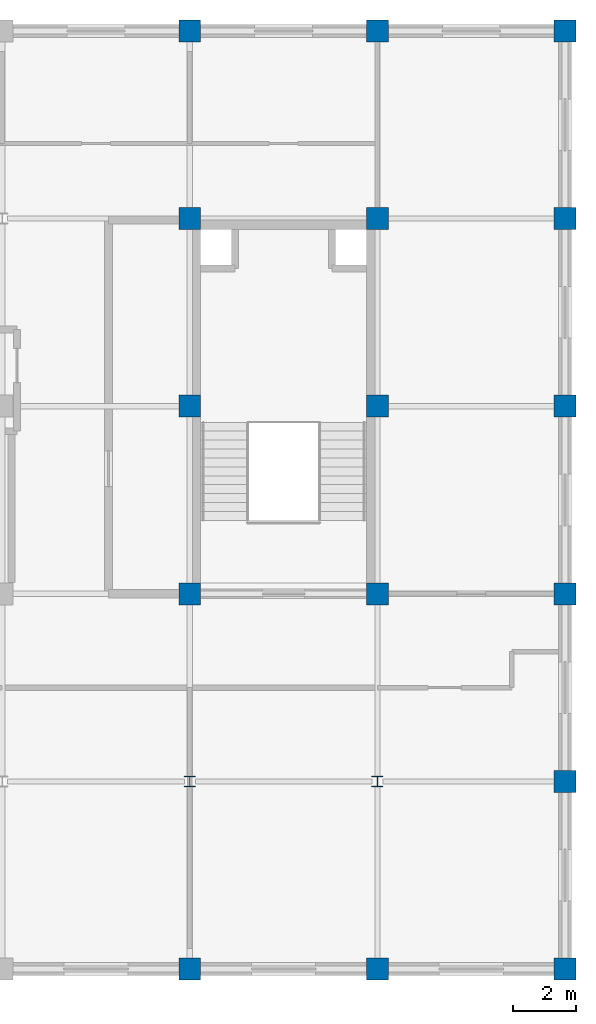
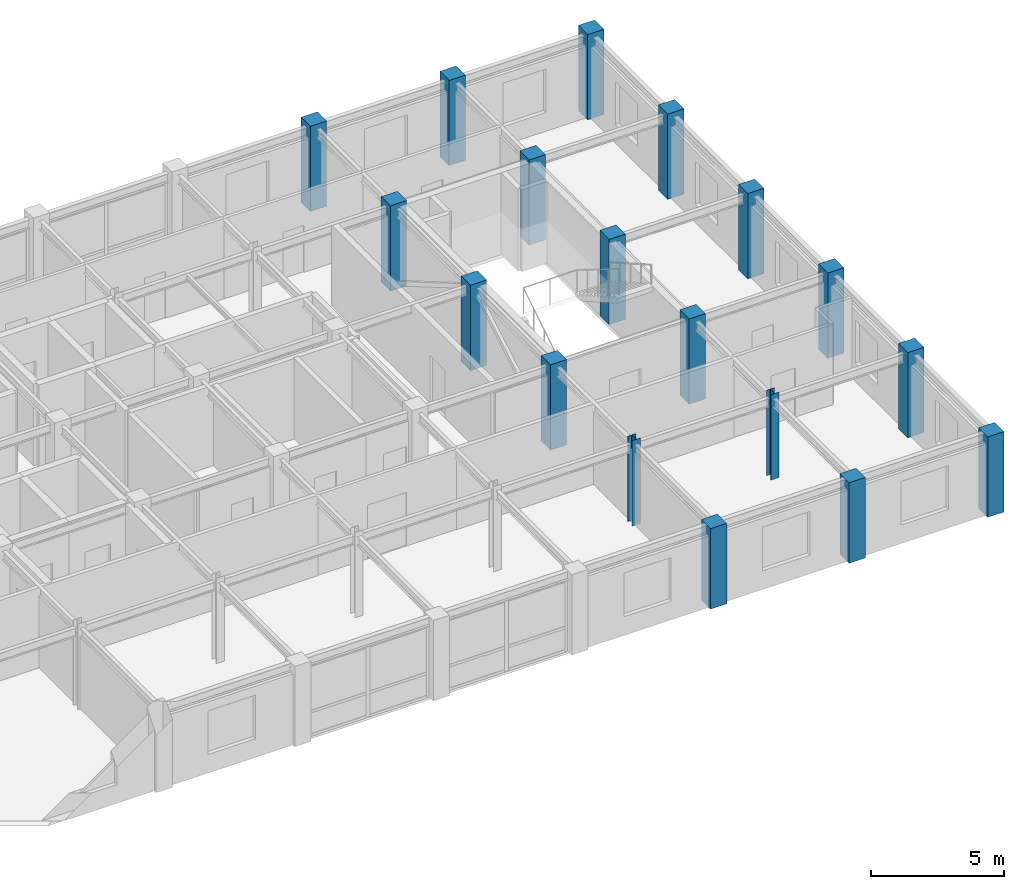
# One storey, part 3 of 13: 18 columns.
"""IFC4 building model written with IfcOpenShell, lengths in metres."""

from ifc_helpers import new_model, si_unit, direction, frame, origin, origin_2d, place, context, subcontext, project, spatial, rectangle, i_section, extrude, material, material_profile, profile_set, type_object, element, save


model = new_model("IFC4")

# Units and contexts
model_context = context("Model", 3, precision=1e-05, world=origin(), true_north=direction((0.0, 1.0)))
body_context = subcontext(model_context, "Body", "Model", "MODEL_VIEW")
ifc_project = project(units=[si_unit("LENGTHUNIT", "METRE"), si_unit("AREAUNIT", "SQUARE_METRE"), si_unit("VOLUMEUNIT", "CUBIC_METRE"), si_unit("PLANEANGLEUNIT", "RADIAN"), si_unit("MASSUNIT", "GRAM", prefix="KILO")], contexts=[model_context])

# Site, building, storey
site_placement = place(None, origin())
site = spatial("IfcSite", under=ifc_project, at=site_placement, CompositionType="ELEMENT")
building_placement = place(site_placement, origin())
building = spatial("IfcBuilding", under=site, at=building_placement, Name="Zlatovratsky Civic Hall", CompositionType="ELEMENT")
storey_placement = place(building_placement, frame((0.0, 0.0, 48.300048828125)))
storey = spatial("IfcBuildingStorey", under=building, at=storey_placement, Name="L12", CompositionType="ELEMENT", Elevation=48.300048828125)

# Columns
ifc_material_1 = material(Name="Concrete C35/45 (B40)", Category="concrete")
ifc_material_profile_1 = material_profile(ifc_material_1, rectangle(XDim=0.699951171875, YDim=0.699951171875, at=origin_2d()), Name="RC 700x700")
ifc_profile_set_1 = profile_set([ifc_material_profile_1], Name="Concrete C35/45 (B40)")
column_type_1 = type_object("IfcColumnType", Name="Col_CorePier_RC700", PredefinedType="COLUMN", material=ifc_profile_set_1)
for number, where, z_axis, x_axis, name in (
    (1, (96.0, 72.0, 0.0), (0.0, 0.0, 1.0), (1.0, 0.0, 0.0), "CL-2417"),
    (2, (102.0, 72.0, 0.0), (0.0, 0.0, 1.0), (1.0, 0.0, 0.0), "CL-2418"),
    (3, (108.0, 72.0, 0.0), (0.0, 0.0, 1.0), (1.0, 0.0, 0.0), "CL-2419"),
):
    element("IfcColumn", number, at=place(storey_placement, frame(where, z_axis=z_axis, x_axis=x_axis)), inside=storey, type_object=column_type_1, Name=name, PredefinedType="COLUMN", context=body_context, shape_type="SweptSolid", body=[
        extrude(rectangle(XDim=0.699951171875, YDim=0.699951171875, at=origin_2d()), origin(), (0.0, 0.0, 1.0), 3.679931640625),
    ])
for number, where, z_axis, x_axis, name in (
    (4, (108.0, 78.0, 0.0), (0.0, 0.0, 1.0), (1.0, 0.0, 0.0), "CL-2428"),
    (5, (96.0, 84.0, 0.0), (0.0, 0.0, 1.0), (1.0, 0.0, 0.0), "CL-2435"),
    (6, (102.0, 84.0, 0.0), (0.0, 0.0, 1.0), (1.0, 0.0, 0.0), "CL-2436"),
    (7, (108.0, 84.0, 0.0), (0.0, 0.0, 1.0), (1.0, 0.0, 0.0), "CL-2437"),
    (8, (96.0, 90.0, 0.0), (0.0, 0.0, 1.0), (1.0, 0.0, 0.0), "CL-2444"),
    (9, (102.0, 90.0, 0.0), (0.0, 0.0, 1.0), (1.0, 0.0, 0.0), "CL-2445"),
    (10, (108.0, 90.0, 0.0), (0.0, 0.0, 1.0), (1.0, 0.0, 0.0), "CL-2446"),
    (11, (96.0, 96.0, 0.0), (0.0, 0.0, 1.0), (1.0, 0.0, 0.0), "CL-2453"),
    (12, (102.0, 96.0, 0.0), (0.0, 0.0, 1.0), (1.0, 0.0, 0.0), "CL-2454"),
    (13, (108.0, 96.0, 0.0), (0.0, 0.0, 1.0), (1.0, 0.0, 0.0), "CL-2455"),
    (14, (96.0, 102.0, 0.0), (0.0, 0.0, 1.0), (1.0, 0.0, 0.0), "CL-2462"),
    (15, (102.0, 102.0, 0.0), (0.0, 0.0, 1.0), (1.0, 0.0, 0.0), "CL-2463"),
    (16, (108.0, 102.0, 0.0), (0.0, 0.0, 1.0), (1.0, 0.0, 0.0), "CL-2464"),
):
    element("IfcColumn", number, at=place(storey_placement, frame(where, z_axis=z_axis, x_axis=x_axis)), inside=storey, type_object=column_type_1, Name=name, PredefinedType="COLUMN", context=body_context, shape_type="SweptSolid", body=[
        extrude(rectangle(XDim=0.699951171875, YDim=0.699951171875, at=origin_2d()), origin(), (0.0, 0.0, 1.0), 3.89990234375),
    ])
ifc_material_2 = material(Name="Steel S355", Category="steel")
ifc_material_profile_2 = material_profile(ifc_material_2, i_section(OverallWidth=0.35009765625, OverallDepth=0.343017578125, WebThickness=0.010009765625, FlangeThickness=0.014892578125, FilletRadius=0.02001953125, at=origin_2d()), Name="35K1")
ifc_profile_set_2 = profile_set([ifc_material_profile_2], Name="Steel S355")
column_type_2 = type_object("IfcColumnType", Name="Col_Steel_35K1", PredefinedType="COLUMN", material=ifc_profile_set_2)
for number, where, z_axis, x_axis, name in (
    (17, (96.0, 78.0, 0.0), (0.0, 0.0, 1.0), (1.0, 0.0, 0.0), "CL-2426"),
    (18, (102.0, 78.0, 0.0), (0.0, 0.0, 1.0), (1.0, 0.0, 0.0), "CL-2427"),
):
    element("IfcColumn", number, at=place(storey_placement, frame(where, z_axis=z_axis, x_axis=x_axis)), inside=storey, type_object=column_type_2, Name=name, PredefinedType="COLUMN", context=body_context, shape_type="SweptSolid", body=[
        extrude(i_section(OverallWidth=0.35009765625, OverallDepth=0.343017578125, WebThickness=0.010009765625, FlangeThickness=0.014892578125, FilletRadius=0.02001953125, at=origin_2d()), origin(), (0.0, 0.0, 1.0), 3.89990234375),
    ])

save(model, "model.ifc")
